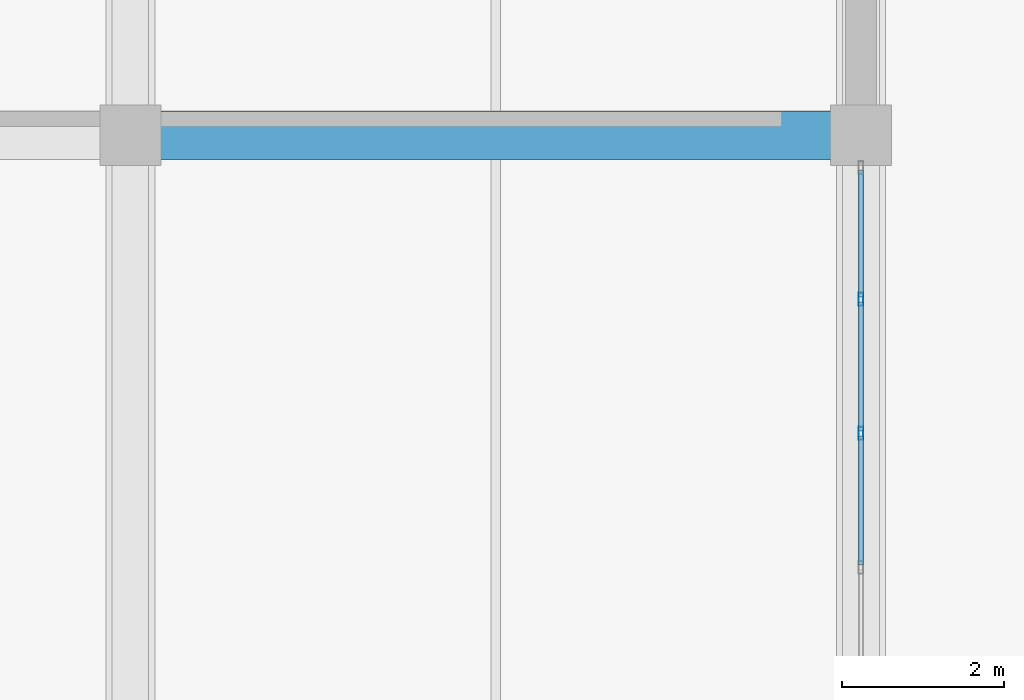
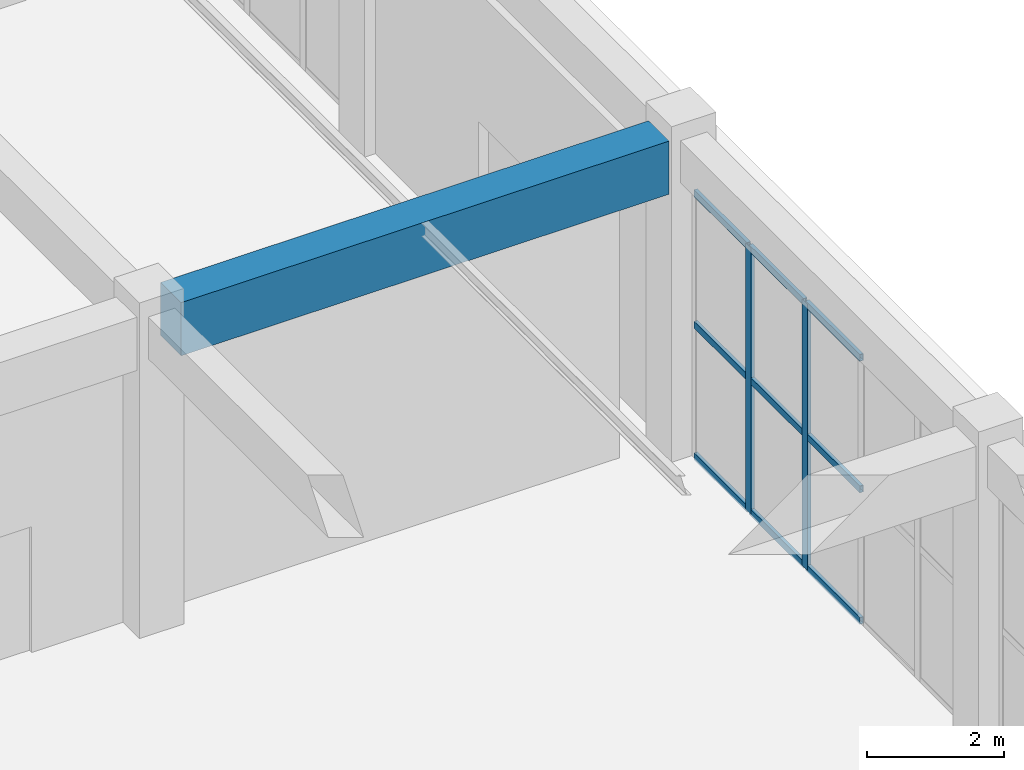
# One storey, part 22 of 91: 11 members, 1 beam, 1 element without a shape of its own.
"""IFC4 building model written with IfcOpenShell, lengths in metres."""

from ifc_helpers import new_model, si_unit, direction, frame, origin, origin_2d, place, context, subcontext, project, spatial, rectangle, hollow_rectangle, extrude, material, layer, layer_set, material_profile, profile_set, type_object, element, aggregate, save


model = new_model("IFC4")

# Units and contexts
model_context = context("Model", 3, precision=1e-05, world=origin(), true_north=direction((0.0, 1.0)))
body_context = subcontext(model_context, "Body", "Model", "MODEL_VIEW")
ifc_project = project(units=[si_unit("LENGTHUNIT", "METRE"), si_unit("AREAUNIT", "SQUARE_METRE"), si_unit("VOLUMEUNIT", "CUBIC_METRE"), si_unit("PLANEANGLEUNIT", "RADIAN"), si_unit("MASSUNIT", "GRAM", prefix="KILO")], contexts=[model_context])

# Site, building, storey
site_placement = place(None, origin())
site = spatial("IfcSite", under=ifc_project, at=site_placement, CompositionType="ELEMENT")
building_placement = place(site_placement, origin())
building = spatial("IfcBuilding", under=site, at=building_placement, Name="Dornveld Trade and Exhibition Forum", CompositionType="ELEMENT")
storey_placement = place(building_placement, origin())
storey = spatial("IfcBuildingStorey", under=building, at=storey_placement, Name="L00", CompositionType="ELEMENT", Elevation=0.0)

# Beam
ifc_material_1 = material(Name="Precast concrete C50/60", Category="concrete")
ifc_material_profile_1 = material_profile(ifc_material_1, rectangle(XDim=0.60009765625, YDim=0.949951171875, at=origin_2d()), Name="PC-GIR 600x950")
ifc_profile_set_1 = profile_set([ifc_material_profile_1], Name="Precast concrete C50/60")
beam_type = type_object("IfcBeamType", Name="BM-PC-600x950", PredefinedType="T_BEAM", material=ifc_profile_set_1)
beam_placement = place(storey_placement, frame((225.37109375, 36.0, 5.22509765625), z_axis=(1.0, 0.0, 0.0), x_axis=(0.0, 1.0, 0.0)))
element("IfcBeam", 1, at=beam_placement, inside=storey, type_object=beam_type, Name="L00 X-girder 895", PredefinedType="T_BEAM", context=body_context, shape_type="SweptSolid", body=[
    extrude(rectangle(XDim=0.60009765625, YDim=0.949951171875, at=origin_2d()), origin(), (0.0, 0.0, 1.0), 8.2578125),
])

# Curtain wall, members
ifc_material_2 = material(Name="Dark-bronze anodised aluminium and low-E glass", Category="aluminium")
ifc_layer = layer(ifc_material_2, 0.18408203125)
ifc_layer_set = layer_set([ifc_layer], Name="Dark-bronze anodised aluminium and low-E glass")
curtain_wall_type = type_object("IfcCurtainWallType", Name="CW-SYS-14", PredefinedType="USERDEFINED", material=ifc_layer_set)
curtain_wall_placement = place(storey_placement, origin())
curtain_wall = element("IfcCurtainWall", 2, at=curtain_wall_placement, inside=storey, type_object=curtain_wall_type, Name="L00 unitised curtain wall 68", ObjectType="UNITISED_CURTAIN_WALL", PredefinedType="USERDEFINED")
ifc_material_3 = material(Name="Dark-bronze anodised aluminium", Category="aluminium")
ifc_material_profile_2 = material_profile(ifc_material_3, hollow_rectangle(XDim=0.06005859375, YDim=0.159912109375, WallThickness=0.00390625, at=origin_2d()), Name="RHS 160x60x4")
ifc_profile_set_2 = profile_set([ifc_material_profile_2], Name="Dark-bronze anodised aluminium")
member_type_1 = type_object("IfcMemberType", Name="CW-MUL-160", PredefinedType="MULLION", material=ifc_profile_set_2)
member_1_placement = place(storey_placement, frame((234.0, 32.32568359375, -0.00390625), z_axis=(0.0, 0.0, 1.0), x_axis=(-1.0, 0.0, 0.0)))
member_1 = element("IfcMember", 3, at=member_1_placement, type_object=member_type_1, Name="CW-14 mullion 4", PredefinedType="MULLION", context=body_context, shape_type="SweptSolid", body=[
    extrude(hollow_rectangle(XDim=0.06005859375, YDim=0.159912109375, WallThickness=0.00390625, at=origin_2d()), origin(), (0.0, 0.0, 1.0), 4.763916015625),
])
member_2_placement = place(storey_placement, frame((234.0, 33.977294921875, -0.00390625), z_axis=(0.0, 0.0, 1.0), x_axis=(-1.0, 0.0, 0.0)))
member_2 = element("IfcMember", 4, at=member_2_placement, type_object=member_type_1, Name="CW-14 mullion 5", PredefinedType="MULLION", context=body_context, shape_type="SweptSolid", body=[
    extrude(hollow_rectangle(XDim=0.06005859375, YDim=0.159912109375, WallThickness=0.00390625, at=origin_2d()), origin(), (0.0, 0.0, 1.0), 4.763916015625),
])
ifc_material_4 = material(Name="Dark-bronze anodised aluminium", Category="aluminium")
ifc_material_profile_3 = material_profile(ifc_material_4, hollow_rectangle(XDim=0.06005859375, YDim=0.1201171875, WallThickness=0.00390625, at=origin_2d()), Name="RHS 120x60x4")
ifc_profile_set_3 = profile_set([ifc_material_profile_3], Name="Dark-bronze anodised aluminium")
member_type_2 = type_object("IfcMemberType", Name="CW-TRN-120", PredefinedType="USERDEFINED", material=ifc_profile_set_3)
member_3_placement = place(storey_placement, frame((234.0, 30.7041015625, 0.02587890625), z_axis=(0.0, 1.0, 0.0), x_axis=(-1.0, 0.0, 0.0)))
member_3 = element("IfcMember", 5, at=member_3_placement, type_object=member_type_2, Name="CW-14 transom 3.1", ObjectType="TRANSOM", PredefinedType="USERDEFINED", context=body_context, shape_type="SweptSolid", body=[
    extrude(hollow_rectangle(XDim=0.06005859375, YDim=0.1201171875, WallThickness=0.00390625, at=origin_2d()), origin(), (0.0, 0.0, 1.0), 1.591796875),
])
member_4_placement = place(storey_placement, frame((234.0, 30.7041015625, 2.3779296875), z_axis=(0.0, 1.0, 0.0), x_axis=(-1.0, 0.0, 0.0)))
member_4 = element("IfcMember", 6, at=member_4_placement, type_object=member_type_2, Name="CW-14 transom 3.2", ObjectType="TRANSOM", PredefinedType="USERDEFINED", context=body_context, shape_type="SweptSolid", body=[
    extrude(hollow_rectangle(XDim=0.06005859375, YDim=0.1201171875, WallThickness=0.00390625, at=origin_2d()), origin(), (0.0, 0.0, 1.0), 1.591796875),
])
member_5_placement = place(storey_placement, frame((234.0, 30.7041015625, 4.72998046875), z_axis=(0.0, 1.0, 0.0), x_axis=(-1.0, 0.0, 0.0)))
member_5 = element("IfcMember", 7, at=member_5_placement, type_object=member_type_2, Name="CW-14 transom 3.3", ObjectType="TRANSOM", PredefinedType="USERDEFINED", context=body_context, shape_type="SweptSolid", body=[
    extrude(hollow_rectangle(XDim=0.06005859375, YDim=0.1201171875, WallThickness=0.00390625, at=origin_2d()), origin(), (0.0, 0.0, 1.0), 1.591796875),
])
member_6_placement = place(storey_placement, frame((234.0, 32.355712890625, 0.02587890625), z_axis=(0.0, 1.0, 0.0), x_axis=(-1.0, 0.0, 0.0)))
member_6 = element("IfcMember", 8, at=member_6_placement, type_object=member_type_2, Name="CW-14 transom 4.1", ObjectType="TRANSOM", PredefinedType="USERDEFINED", context=body_context, shape_type="SweptSolid", body=[
    extrude(hollow_rectangle(XDim=0.06005859375, YDim=0.1201171875, WallThickness=0.00390625, at=origin_2d()), origin(), (0.0, 0.0, 1.0), 1.591796875),
])
member_7_placement = place(storey_placement, frame((234.0, 32.355712890625, 2.3779296875), z_axis=(0.0, 1.0, 0.0), x_axis=(-1.0, 0.0, 0.0)))
member_7 = element("IfcMember", 9, at=member_7_placement, type_object=member_type_2, Name="CW-14 transom 4.2", ObjectType="TRANSOM", PredefinedType="USERDEFINED", context=body_context, shape_type="SweptSolid", body=[
    extrude(hollow_rectangle(XDim=0.06005859375, YDim=0.1201171875, WallThickness=0.00390625, at=origin_2d()), origin(), (0.0, 0.0, 1.0), 1.591796875),
])
member_8_placement = place(storey_placement, frame((234.0, 32.355712890625, 4.72998046875), z_axis=(0.0, 1.0, 0.0), x_axis=(-1.0, 0.0, 0.0)))
member_8 = element("IfcMember", 10, at=member_8_placement, type_object=member_type_2, Name="CW-14 transom 4.3", ObjectType="TRANSOM", PredefinedType="USERDEFINED", context=body_context, shape_type="SweptSolid", body=[
    extrude(hollow_rectangle(XDim=0.06005859375, YDim=0.1201171875, WallThickness=0.00390625, at=origin_2d()), origin(), (0.0, 0.0, 1.0), 1.591796875),
])
member_9_placement = place(storey_placement, frame((234.0, 34.00732421875, 0.02587890625), z_axis=(0.0, 1.0, 0.0), x_axis=(-1.0, 0.0, 0.0)))
member_9 = element("IfcMember", 11, at=member_9_placement, type_object=member_type_2, Name="CW-14 transom 5.1", ObjectType="TRANSOM", PredefinedType="USERDEFINED", context=body_context, shape_type="SweptSolid", body=[
    extrude(hollow_rectangle(XDim=0.06005859375, YDim=0.1201171875, WallThickness=0.00390625, at=origin_2d()), origin(), (0.0, 0.0, 1.0), 1.561767578125),
])
member_10_placement = place(storey_placement, frame((234.0, 34.00732421875, 2.3779296875), z_axis=(0.0, 1.0, 0.0), x_axis=(-1.0, 0.0, 0.0)))
member_10 = element("IfcMember", 12, at=member_10_placement, type_object=member_type_2, Name="CW-14 transom 5.2", ObjectType="TRANSOM", PredefinedType="USERDEFINED", context=body_context, shape_type="SweptSolid", body=[
    extrude(hollow_rectangle(XDim=0.06005859375, YDim=0.1201171875, WallThickness=0.00390625, at=origin_2d()), origin(), (0.0, 0.0, 1.0), 1.561767578125),
])
member_11_placement = place(storey_placement, frame((234.0, 34.00732421875, 4.72998046875), z_axis=(0.0, 1.0, 0.0), x_axis=(-1.0, 0.0, 0.0)))
member_11 = element("IfcMember", 13, at=member_11_placement, type_object=member_type_2, Name="CW-14 transom 5.3", ObjectType="TRANSOM", PredefinedType="USERDEFINED", context=body_context, shape_type="SweptSolid", body=[
    extrude(hollow_rectangle(XDim=0.06005859375, YDim=0.1201171875, WallThickness=0.00390625, at=origin_2d()), origin(), (0.0, 0.0, 1.0), 1.561767578125),
])
aggregate(curtain_wall, [member_1, member_2, member_3, member_4, member_5, member_6, member_7, member_8, member_9, member_10, member_11])

save(model, "model.ifc")
